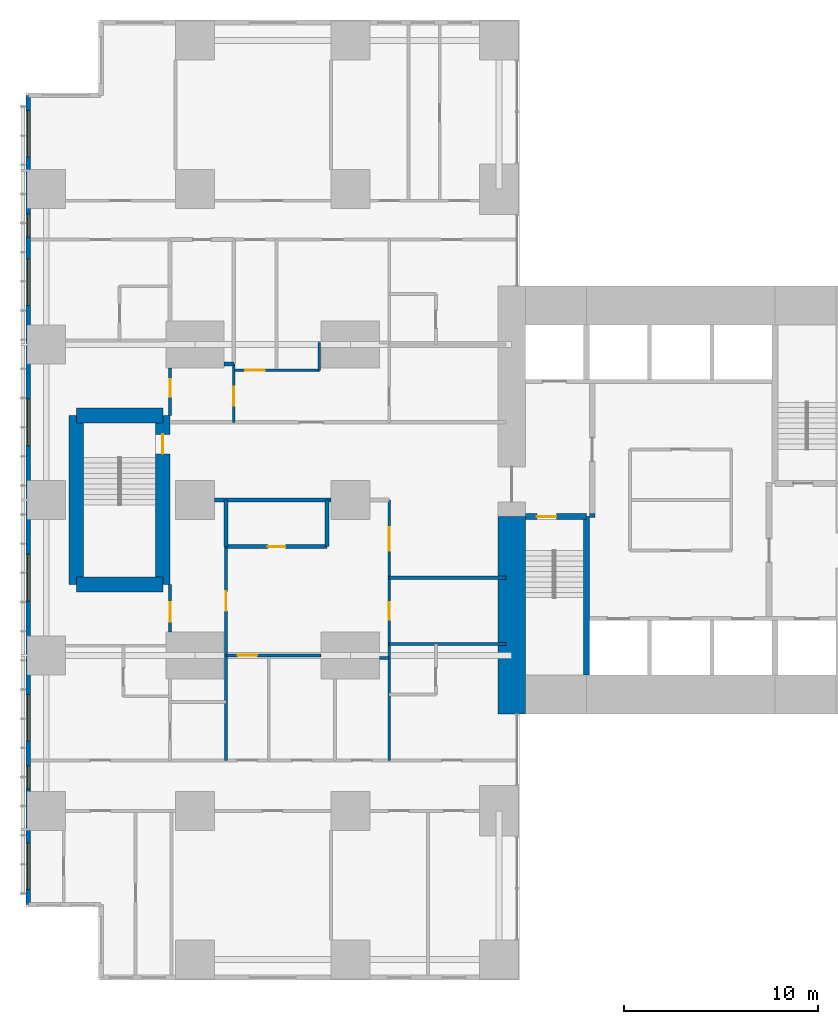
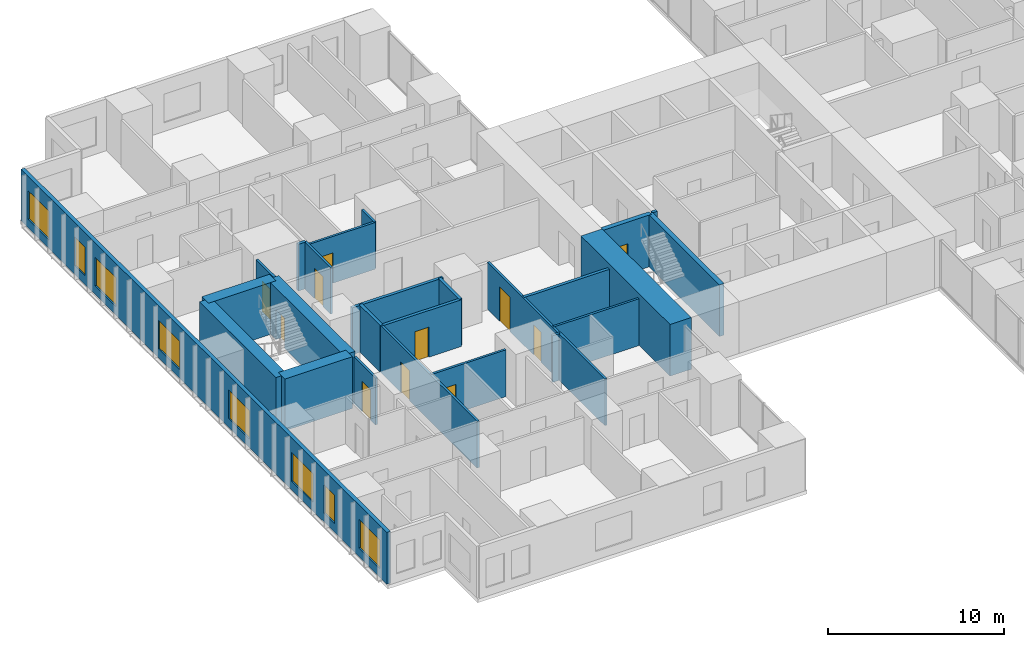
# One storey, part 13 of 20: 25 walls, 11 doors, 8 windows, 19 openings.
"""IFC4 building model written with IfcOpenShell, lengths in metres."""

from ifc_helpers import new_model, si_unit, direction, frame, frame_2d, origin, place, context, subcontext, project, spatial, rectangle, extrude, material, layer, layer_set, type_object, element, fill, save


model = new_model("IFC4")

# Units and contexts
model_context = context("Model", 3, precision=1e-05, world=origin(), true_north=direction((0.0, 1.0)))
body_context = subcontext(model_context, "Body", "Model", "MODEL_VIEW")
ifc_project = project(units=[si_unit("LENGTHUNIT", "METRE"), si_unit("AREAUNIT", "SQUARE_METRE"), si_unit("VOLUMEUNIT", "CUBIC_METRE"), si_unit("PLANEANGLEUNIT", "RADIAN"), si_unit("MASSUNIT", "GRAM", prefix="KILO")], contexts=[model_context])

# Site, building, storey
site_placement = place(None, origin())
site = spatial("IfcSite", under=ifc_project, at=site_placement, CompositionType="ELEMENT")
building_placement = place(site_placement, origin())
building = spatial("IfcBuilding", under=site, at=building_placement, Name="Cleftline Residences", CompositionType="ELEMENT")
storey_placement = place(building_placement, frame((0.0, 0.0, 87.199951171875)))
storey = spatial("IfcBuildingStorey", under=building, at=storey_placement, Name="L22", CompositionType="ELEMENT", Elevation=87.199951171875)

# Walls
ifc_material_1 = material(Name="Concrete B70", Category="concrete")
ifc_layer_1 = layer(ifc_material_1, 1.39990234375)
ifc_layer_set_1 = layer_set([ifc_layer_1], Name="CORE WALL 1400")
wall_type_1 = type_object("IfcWallType", Name="CORE WALL 1400", PredefinedType="SHEAR", material=ifc_layer_set_1)
wall_1_placement = place(storey_placement, frame((24.300048828125, 13.0, 0.0), z_axis=(0.0, 0.0, 1.0), x_axis=(0.0, 1.0, 0.0)))
element("IfcWall", 1, at=wall_1_placement, inside=storey, type_object=wall_type_1, Name="Core wall W0", PredefinedType="SHEAR", context=body_context, shape_type="SweptSolid", body=[
    extrude(rectangle(XDim=10.14990234375, YDim=1.39990234375, at=frame_2d((5.074951171875, 0.0))), origin(), (0.0, 0.0, 1.0), 3.60009765625),
])
ifc_material_2 = material(Name="Concrete B70", Category="concrete")
ifc_layer_2 = layer(ifc_material_2, 0.300048828125)
ifc_layer_set_2 = layer_set([ifc_layer_2], Name="CORE WALL 300")
wall_type_2 = type_object("IfcWallType", Name="CORE WALL 300", PredefinedType="SHEAR", material=ifc_layer_set_2)
wall_2_placement = place(storey_placement, frame((28.14990234375, 15.0, 0.0), z_axis=(0.0, 0.0, 1.0), x_axis=(0.0, 1.0, 0.0)))
element("IfcWall", 2, at=wall_2_placement, inside=storey, type_object=wall_type_2, Name="Core wall SA-E", PredefinedType="SHEAR", context=body_context, shape_type="SweptSolid", body=[
    extrude(rectangle(XDim=8.14990234375, YDim=0.300048828125, at=frame_2d((4.074951171875, 0.0))), origin(), (0.0, 0.0, 1.0), 3.60009765625),
])

# Wall, opening, door
wall_3_placement = place(storey_placement, frame((25.0, 23.14990234375, 0.0), z_axis=(0.0, 0.0, 1.0), x_axis=(1.0, 0.0, 0.0)))
wall_3 = element("IfcWall", 3, at=wall_3_placement, inside=storey, type_object=wall_type_2, Name="Core wall SA-N", PredefinedType="SHEAR", context=body_context, shape_type="SweptSolid", body=[
    extrude(rectangle(XDim=3.14990234375, YDim=0.300048828125, at=frame_2d((1.574951171875, 0.0))), origin(), (0.0, 0.0, 1.0), 3.60009765625),
])
opening_1_placement = place(wall_3_placement, frame((0.60009765625, 0.0, 0.0)))
opening_1 = element("IfcOpeningElement", 4, at=opening_1_placement, cuts=wall_3, Name="Opening D5", PredefinedType="OPENING", context=body_context, shape_type="SweptSolid", body=[
    extrude(rectangle(XDim=1.0, YDim=2.10009765625, at=frame_2d((0.5, 1.050048828125))), frame((0.0, 0.159912109375, 0.0), z_axis=(0.0, -1.0, 0.0), x_axis=(1.0, 0.0, 0.0)), (0.0, 0.0, 1.0), 0.320068359375),
])
ifc_material_3 = material(Name="Steel", Category="steel")
door_type_1 = type_object("IfcDoorType", Name="STAIR DOOR 1000X2100", OperationType="SINGLE_SWING_LEFT", PredefinedType="DOOR", material=ifc_material_3)
door_1_placement = place(opening_1_placement, origin())
door_1 = element("IfcDoor", 5, at=door_1_placement, inside=storey, type_object=door_type_1, Name="Stair A door", OperationType="SINGLE_SWING_RIGHT", OverallHeight=2.10009765625, OverallWidth=1.0, PredefinedType="DOOR", context=body_context, shape_type="SweptSolid", body=[
    extrude(rectangle(XDim=1.0, YDim=2.10009765625, at=frame_2d((0.5, 1.050048828125))), frame((0.0, 0.02490234375, 0.0), z_axis=(0.0, -1.0, 0.0), x_axis=(1.0, 0.0, 0.0)), (0.0, 0.0, 1.0), 0.050048828125),
])
fill(opening_1, door_1)

# Wall, openings, windows
ifc_material_4 = material(Name="Rendered reinforced concrete blockwork", Category="masonry")
ifc_layer_3 = layer(ifc_material_4, 0.25)
ifc_layer_set_3 = layer_set([ifc_layer_3], Name="EXTERNAL WALL 250")
wall_type_3 = type_object("IfcWallType", Name="EXTERNAL WALL 250", PredefinedType="SOLIDWALL", material=ifc_layer_set_3)
wall_4_placement = place(storey_placement, frame((-0.574951171875, 44.824951171875, 0.0), z_axis=(0.0, 0.0, 1.0), x_axis=(0.0, -1.0, 0.0)))
wall_4 = element("IfcWall", 6, at=wall_4_placement, inside=storey, type_object=wall_type_3, Name="External wall", PredefinedType="SOLIDWALL", context=body_context, shape_type="SweptSolid", body=[
    extrude(rectangle(XDim=41.64990234375, YDim=0.25, at=frame_2d((20.824951171875, 0.0))), origin(), (0.0, 0.0, 1.0), 3.60009765625),
])
opening_2_placement = place(wall_4_placement, frame((0.77490234375, 0.0, 0.60009765625)))
opening_2 = element("IfcOpeningElement", 7, at=opening_2_placement, cuts=wall_4, Name="Opening W6", PredefinedType="OPENING", context=body_context, shape_type="SweptSolid", body=[
    extrude(rectangle(XDim=2.39990234375, YDim=2.0, at=frame_2d((1.199951171875, 1.0))), frame((0.0, 0.135009765625, 0.0), z_axis=(0.0, -1.0, 0.0), x_axis=(1.0, 0.0, 0.0)), (0.0, 0.0, 1.0), 0.27001953125),
])
opening_3_placement = place(wall_4_placement, frame((6.10009765625, 0.0, 0.60009765625)))
opening_3 = element("IfcOpeningElement", 8, at=opening_3_placement, cuts=wall_4, Name="Opening W8", PredefinedType="OPENING", context=body_context, shape_type="SweptSolid", body=[
    extrude(rectangle(XDim=1.199951171875, YDim=2.0, at=frame_2d((0.60009765625, 1.0))), frame((0.0, 0.135009765625, 0.0), z_axis=(0.0, -1.0, 0.0), x_axis=(1.0, 0.0, 0.0)), (0.0, 0.0, 1.0), 0.27001953125),
])
opening_4_placement = place(wall_4_placement, frame((8.425048828125, 0.0, 0.60009765625)))
opening_4 = element("IfcOpeningElement", 9, at=opening_4_placement, cuts=wall_4, Name="Opening W6", PredefinedType="OPENING", context=body_context, shape_type="SweptSolid", body=[
    extrude(rectangle(XDim=2.39990234375, YDim=2.0, at=frame_2d((1.199951171875, 1.0))), frame((0.0, 0.135009765625, 0.0), z_axis=(0.0, -1.0, 0.0), x_axis=(1.0, 0.0, 0.0)), (0.0, 0.0, 1.0), 0.27001953125),
])
opening_5_placement = place(wall_4_placement, frame((15.625, 0.0, 0.60009765625)))
opening_5 = element("IfcOpeningElement", 10, at=opening_5_placement, cuts=wall_4, Name="Opening W6", PredefinedType="OPENING", context=body_context, shape_type="SweptSolid", body=[
    extrude(rectangle(XDim=2.39990234375, YDim=2.0, at=frame_2d((1.199951171875, 1.0))), frame((0.0, 0.135009765625, 0.0), z_axis=(0.0, -1.0, 0.0), x_axis=(1.0, 0.0, 0.0)), (0.0, 0.0, 1.0), 0.27001953125),
])
opening_6_placement = place(wall_4_placement, frame((23.625, 0.0, 0.60009765625)))
opening_6 = element("IfcOpeningElement", 11, at=opening_6_placement, cuts=wall_4, Name="Opening W6", PredefinedType="OPENING", context=body_context, shape_type="SweptSolid", body=[
    extrude(rectangle(XDim=2.39990234375, YDim=2.0, at=frame_2d((1.199951171875, 1.0))), frame((0.0, 0.135009765625, 0.0), z_axis=(0.0, -1.0, 0.0), x_axis=(1.0, 0.0, 0.0)), (0.0, 0.0, 1.0), 0.27001953125),
])
opening_7_placement = place(wall_4_placement, frame((30.824951171875, 0.0, 0.60009765625)))
opening_7 = element("IfcOpeningElement", 12, at=opening_7_placement, cuts=wall_4, Name="Opening W6", PredefinedType="OPENING", context=body_context, shape_type="SweptSolid", body=[
    extrude(rectangle(XDim=2.39990234375, YDim=2.0, at=frame_2d((1.199951171875, 1.0))), frame((0.0, 0.135009765625, 0.0), z_axis=(0.0, -1.0, 0.0), x_axis=(1.0, 0.0, 0.0)), (0.0, 0.0, 1.0), 0.27001953125),
])
opening_8_placement = place(wall_4_placement, frame((34.5, 0.0, 0.60009765625)))
opening_8 = element("IfcOpeningElement", 13, at=opening_8_placement, cuts=wall_4, Name="Opening W8", PredefinedType="OPENING", context=body_context, shape_type="SweptSolid", body=[
    extrude(rectangle(XDim=1.199951171875, YDim=2.0, at=frame_2d((0.60009765625, 1.0))), frame((0.0, 0.135009765625, 0.0), z_axis=(0.0, -1.0, 0.0), x_axis=(1.0, 0.0, 0.0)), (0.0, 0.0, 1.0), 0.27001953125),
])
opening_9_placement = place(wall_4_placement, frame((38.47509765625, 0.0, 0.60009765625)))
opening_9 = element("IfcOpeningElement", 14, at=opening_9_placement, cuts=wall_4, Name="Opening W6", PredefinedType="OPENING", context=body_context, shape_type="SweptSolid", body=[
    extrude(rectangle(XDim=2.39990234375, YDim=2.0, at=frame_2d((1.199951171875, 1.0))), frame((0.0, 0.135009765625, 0.0), z_axis=(0.0, -1.0, 0.0), x_axis=(1.0, 0.0, 0.0)), (0.0, 0.0, 1.0), 0.27001953125),
])
ifc_material_5 = material(Name="Aluminium frame, clear double glazing", Category="aluminium")
window_type_1 = type_object("IfcWindowType", Name="WINDOW 1200X2000", PartitioningType="DOUBLE_PANEL_VERTICAL", PredefinedType="WINDOW", material=ifc_material_5)
window_1_placement = place(opening_3_placement, origin())
window_1 = element("IfcWindow", 15, at=window_1_placement, inside=storey, type_object=window_type_1, Name="Window", OverallHeight=2.0, OverallWidth=1.199951171875, PartitioningType="SINGLE_PANEL", PredefinedType="WINDOW", context=body_context, shape_type="SweptSolid", body=[
    extrude(rectangle(XDim=1.199951171875, YDim=2.0, at=frame_2d((0.60009765625, 1.0))), frame((0.0, 0.030029296875, 0.0), z_axis=(0.0, -1.0, 0.0), x_axis=(1.0, 0.0, 0.0)), (0.0, 0.0, 1.0), 0.06005859375),
])
fill(opening_3, window_1)
window_2_placement = place(opening_8_placement, origin())
window_2 = element("IfcWindow", 16, at=window_2_placement, inside=storey, type_object=window_type_1, Name="Window", OverallHeight=2.0, OverallWidth=1.199951171875, PartitioningType="SINGLE_PANEL", PredefinedType="WINDOW", context=body_context, shape_type="SweptSolid", body=[
    extrude(rectangle(XDim=1.199951171875, YDim=2.0, at=frame_2d((0.60009765625, 1.0))), frame((0.0, 0.030029296875, 0.0), z_axis=(0.0, -1.0, 0.0), x_axis=(1.0, 0.0, 0.0)), (0.0, 0.0, 1.0), 0.06005859375),
])
fill(opening_8, window_2)
ifc_material_6 = material(Name="Aluminium frame, clear double glazing", Category="aluminium")
window_type_2 = type_object("IfcWindowType", Name="WINDOW 2400X2000", PartitioningType="DOUBLE_PANEL_VERTICAL", PredefinedType="WINDOW", material=ifc_material_6)
window_3_placement = place(opening_2_placement, origin())
window_3 = element("IfcWindow", 17, at=window_3_placement, inside=storey, type_object=window_type_2, Name="Window", OverallHeight=2.0, OverallWidth=2.39990234375, PartitioningType="SINGLE_PANEL", PredefinedType="WINDOW", context=body_context, shape_type="SweptSolid", body=[
    extrude(rectangle(XDim=2.39990234375, YDim=2.0, at=frame_2d((1.199951171875, 1.0))), frame((0.0, 0.030029296875, 0.0), z_axis=(0.0, -1.0, 0.0), x_axis=(1.0, 0.0, 0.0)), (0.0, 0.0, 1.0), 0.06005859375),
])
fill(opening_2, window_3)
window_4_placement = place(opening_4_placement, origin())
window_4 = element("IfcWindow", 18, at=window_4_placement, inside=storey, type_object=window_type_2, Name="Window", OverallHeight=2.0, OverallWidth=2.39990234375, PartitioningType="SINGLE_PANEL", PredefinedType="WINDOW", context=body_context, shape_type="SweptSolid", body=[
    extrude(rectangle(XDim=2.39990234375, YDim=2.0, at=frame_2d((1.199951171875, 1.0))), frame((0.0, 0.030029296875, 0.0), z_axis=(0.0, -1.0, 0.0), x_axis=(1.0, 0.0, 0.0)), (0.0, 0.0, 1.0), 0.06005859375),
])
fill(opening_4, window_4)
window_5_placement = place(opening_5_placement, origin())
window_5 = element("IfcWindow", 19, at=window_5_placement, inside=storey, type_object=window_type_2, Name="Window", OverallHeight=2.0, OverallWidth=2.39990234375, PartitioningType="SINGLE_PANEL", PredefinedType="WINDOW", context=body_context, shape_type="SweptSolid", body=[
    extrude(rectangle(XDim=2.39990234375, YDim=2.0, at=frame_2d((1.199951171875, 1.0))), frame((0.0, 0.030029296875, 0.0), z_axis=(0.0, -1.0, 0.0), x_axis=(1.0, 0.0, 0.0)), (0.0, 0.0, 1.0), 0.06005859375),
])
fill(opening_5, window_5)
window_6_placement = place(opening_6_placement, origin())
window_6 = element("IfcWindow", 20, at=window_6_placement, inside=storey, type_object=window_type_2, Name="Window", OverallHeight=2.0, OverallWidth=2.39990234375, PartitioningType="SINGLE_PANEL", PredefinedType="WINDOW", context=body_context, shape_type="SweptSolid", body=[
    extrude(rectangle(XDim=2.39990234375, YDim=2.0, at=frame_2d((1.199951171875, 1.0))), frame((0.0, 0.030029296875, 0.0), z_axis=(0.0, -1.0, 0.0), x_axis=(1.0, 0.0, 0.0)), (0.0, 0.0, 1.0), 0.06005859375),
])
fill(opening_6, window_6)
window_7_placement = place(opening_7_placement, origin())
window_7 = element("IfcWindow", 21, at=window_7_placement, inside=storey, type_object=window_type_2, Name="Window", OverallHeight=2.0, OverallWidth=2.39990234375, PartitioningType="SINGLE_PANEL", PredefinedType="WINDOW", context=body_context, shape_type="SweptSolid", body=[
    extrude(rectangle(XDim=2.39990234375, YDim=2.0, at=frame_2d((1.199951171875, 1.0))), frame((0.0, 0.030029296875, 0.0), z_axis=(0.0, -1.0, 0.0), x_axis=(1.0, 0.0, 0.0)), (0.0, 0.0, 1.0), 0.06005859375),
])
fill(opening_7, window_7)
window_8_placement = place(opening_9_placement, origin())
window_8 = element("IfcWindow", 22, at=window_8_placement, inside=storey, type_object=window_type_2, Name="Window", OverallHeight=2.0, OverallWidth=2.39990234375, PartitioningType="SINGLE_PANEL", PredefinedType="WINDOW", context=body_context, shape_type="SweptSolid", body=[
    extrude(rectangle(XDim=2.39990234375, YDim=2.0, at=frame_2d((1.199951171875, 1.0))), frame((0.0, 0.030029296875, 0.0), z_axis=(0.0, -1.0, 0.0), x_axis=(1.0, 0.0, 0.0)), (0.0, 0.0, 1.0), 0.06005859375),
])
fill(opening_9, window_8)

# Wall
ifc_material_7 = material(Name="Concrete blockwork, fire rated", Category="masonry")
ifc_layer_4 = layer(ifc_material_7, 0.199951171875)
ifc_layer_set_4 = layer_set([ifc_layer_4], Name="FIRE WALL 200")
wall_type_4 = type_object("IfcWallType", Name="FIRE WALL 200", PredefinedType="PARTITIONING", material=ifc_layer_set_4)
wall_5_placement = place(storey_placement, frame((18.0, 20.0, 0.0), z_axis=(0.0, 0.0, 1.0), x_axis=(1.0, 0.0, 0.0)))
element("IfcWall", 23, at=wall_5_placement, inside=storey, type_object=wall_type_4, Name="Fire separating wall", PredefinedType="PARTITIONING", context=body_context, shape_type="SweptSolid", body=[
    extrude(rectangle(XDim=6.0, YDim=0.199951171875, at=frame_2d((3.0, 0.0))), origin(), (0.0, 0.0, 1.0), 3.25),
])

# Wall, opening, door
wall_6_placement = place(storey_placement, frame((9.60009765625, 21.60009765625, 0.0), z_axis=(0.0, 0.0, 1.0), x_axis=(1.0, 0.0, 0.0)))
wall_6 = element("IfcWall", 24, at=wall_6_placement, inside=storey, type_object=wall_type_4, Name="Fire separating wall", PredefinedType="PARTITIONING", context=body_context, shape_type="SweptSolid", body=[
    extrude(rectangle(XDim=5.199951171875, YDim=0.199951171875, at=frame_2d((2.60009765625, 0.0))), origin(), (0.0, 0.0, 1.0), 3.25),
])
opening_10_placement = place(wall_6_placement, frame((2.14990234375, 0.0, 0.0)))
opening_10 = element("IfcOpeningElement", 25, at=opening_10_placement, cuts=wall_6, Name="Opening D1F30", PredefinedType="OPENING", context=body_context, shape_type="SweptSolid", body=[
    extrude(rectangle(XDim=0.89990234375, YDim=2.10009765625, at=frame_2d((0.449951171875, 1.050048828125))), frame((0.0, 0.10986328125, 0.0), z_axis=(0.0, -1.0, 0.0), x_axis=(1.0, 0.0, 0.0)), (0.0, 0.0, 1.0), 0.219970703125),
])
ifc_material_8 = material(Name="Timber veneer on solid core", Category="wood")
door_type_2 = type_object("IfcDoorType", Name="DOOR 900X2100 EI 30", OperationType="SINGLE_SWING_LEFT", PredefinedType="DOOR", material=ifc_material_8)
door_2_placement = place(opening_10_placement, origin())
door_2 = element("IfcDoor", 26, at=door_2_placement, inside=storey, type_object=door_type_2, Name="Door to cloakroom wc", OperationType="SINGLE_SWING_LEFT", OverallHeight=2.10009765625, OverallWidth=0.89990234375, PredefinedType="DOOR", context=body_context, shape_type="SweptSolid", body=[
    extrude(rectangle(XDim=0.89990234375, YDim=2.10009765625, at=frame_2d((0.449951171875, 1.050048828125))), frame((0.0, 0.02490234375, 0.0), z_axis=(0.0, -1.0, 0.0), x_axis=(1.0, 0.0, 0.0)), (0.0, 0.0, 1.0), 0.050048828125),
])
fill(opening_10, door_2)

# Walls
wall_7_placement = place(storey_placement, frame((9.0, 24.0, 0.0), z_axis=(0.0, 0.0, 1.0), x_axis=(1.0, 0.0, 0.0)))
element("IfcWall", 27, at=wall_7_placement, inside=storey, type_object=wall_type_4, Name="Fire separating wall", PredefinedType="PARTITIONING", context=body_context, shape_type="SweptSolid", body=[
    extrude(rectangle(XDim=6.0, YDim=0.199951171875, at=frame_2d((3.0, 0.0))), origin(), (0.0, 0.0, 1.0), 3.25),
])
wall_8_placement = place(storey_placement, frame((9.5, 31.0, 0.0), z_axis=(0.0, 0.0, 1.0), x_axis=(1.0, 0.0, 0.0)))
element("IfcWall", 28, at=wall_8_placement, inside=storey, type_object=wall_type_4, Name="Fire separating wall", PredefinedType="PARTITIONING", context=body_context, shape_type="SweptSolid", body=[
    extrude(rectangle(XDim=0.5, YDim=0.199951171875, at=frame_2d((0.25, 0.0))), origin(), (0.0, 0.0, 1.0), 3.25),
])
for number, where, z_axis, x_axis, name in (
    (29, (9.60009765625, 21.60009765625, 0.0), (0.0, 0.0, 1.0), (0.0, 1.0, 0.0), "Fire separating wall"),
    (30, (14.800048828125, 21.60009765625, 0.0), (0.0, 0.0, 1.0), (0.0, 1.0, 0.0), "Fire separating wall"),
):
    element("IfcWall", number, at=place(storey_placement, frame(where, z_axis=z_axis, x_axis=x_axis)), inside=storey, type_object=wall_type_4, Name=name, PredefinedType="PARTITIONING", context=body_context, shape_type="SweptSolid", body=[
        extrude(rectangle(XDim=2.39990234375, YDim=0.199951171875, at=frame_2d((1.199951171875, 0.0))), origin(), (0.0, 0.0, 1.0), 3.25),
    ])
wall_9_placement = place(storey_placement, frame((28.300048828125, 23.199951171875, 0.0), z_axis=(0.0, 0.0, 1.0), x_axis=(1.0, 0.0, 0.0)))
element("IfcWall", 31, at=wall_9_placement, inside=storey, type_object=wall_type_4, Name="Fire separating wall", PredefinedType="PARTITIONING", context=body_context, shape_type="SweptSolid", body=[
    extrude(rectangle(XDim=0.300048828125, YDim=0.199951171875, at=frame_2d((0.14990234375, 0.0))), origin(), (0.0, 0.0, 1.0), 3.60009765625),
])
ifc_material_9 = material(Name="Gypsum board on steel studs", Category="steel")
ifc_layer_5 = layer(ifc_material_9, 0.14990234375)
ifc_layer_set_5 = layer_set([ifc_layer_5], Name="PARTITION 150")
wall_type_5 = type_object("IfcWallType", Name="PARTITION 150", PredefinedType="PARTITIONING", material=ifc_layer_set_5)
wall_10_placement = place(storey_placement, frame((17.5, 15.875, 0.0), z_axis=(0.0, 0.0, 1.0), x_axis=(1.0, 0.0, 0.0)))
element("IfcWall", 32, at=wall_10_placement, inside=storey, type_object=wall_type_5, Name="Partition", PredefinedType="PARTITIONING", context=body_context, shape_type="SweptSolid", body=[
    extrude(rectangle(XDim=0.5, YDim=0.14990234375, at=frame_2d((0.25, 0.0))), origin(), (0.0, 0.0, 1.0), 3.25),
])

# Wall, opening, door
wall_11_placement = place(storey_placement, frame((9.60009765625, 16.0, 0.0), z_axis=(0.0, 0.0, 1.0), x_axis=(1.0, 0.0, 0.0)))
wall_11 = element("IfcWall", 33, at=wall_11_placement, inside=storey, type_object=wall_type_5, Name="Partition", PredefinedType="PARTITIONING", context=body_context, shape_type="SweptSolid", body=[
    extrude(rectangle(XDim=4.89990234375, YDim=0.14990234375, at=frame_2d((2.449951171875, 0.0))), origin(), (0.0, 0.0, 1.0), 3.25),
])
opening_11_placement = place(wall_11_placement, frame((0.60009765625, 0.0, 0.0)))
opening_11 = element("IfcOpeningElement", 34, at=opening_11_placement, cuts=wall_11, Name="Opening D2L", PredefinedType="OPENING", context=body_context, shape_type="SweptSolid", body=[
    extrude(rectangle(XDim=1.0, YDim=2.0, at=frame_2d((0.5, 1.0))), frame((0.0, 0.0849609375, 0.0), z_axis=(0.0, -1.0, 0.0), x_axis=(1.0, 0.0, 0.0)), (0.0, 0.0, 1.0), 0.169921875),
])
ifc_material_10 = material(Name="Timber veneer on solid core", Category="wood")
door_type_3 = type_object("IfcDoorType", Name="DOOR 1000X2000", OperationType="SINGLE_SWING_LEFT", PredefinedType="DOOR", material=ifc_material_10)
door_3_placement = place(opening_11_placement, origin())
door_3 = element("IfcDoor", 35, at=door_3_placement, inside=storey, type_object=door_type_3, Name="Door to residence passage", OperationType="SINGLE_SWING_RIGHT", OverallHeight=2.0, OverallWidth=1.0, PredefinedType="DOOR", context=body_context, shape_type="SweptSolid", body=[
    extrude(rectangle(XDim=1.0, YDim=2.0, at=frame_2d((0.5, 1.0))), frame((0.0, 0.02490234375, 0.0), z_axis=(0.0, -1.0, 0.0), x_axis=(1.0, 0.0, 0.0)), (0.0, 0.0, 1.0), 0.050048828125),
])
fill(opening_11, door_3)

# Wall
wall_12_placement = place(storey_placement, frame((18.0, 16.60009765625, 0.0), z_axis=(0.0, 0.0, 1.0), x_axis=(1.0, 0.0, 0.0)))
element("IfcWall", 36, at=wall_12_placement, inside=storey, type_object=wall_type_5, Name="Partition", PredefinedType="PARTITIONING", context=body_context, shape_type="SweptSolid", body=[
    extrude(rectangle(XDim=6.0, YDim=0.14990234375, at=frame_2d((3.0, 0.0))), origin(), (0.0, 0.0, 1.0), 3.25),
])

# Wall, opening, door
wall_13_placement = place(storey_placement, frame((10.0, 30.675048828125, 0.0), z_axis=(0.0, 0.0, 1.0), x_axis=(1.0, 0.0, 0.0)))
wall_13 = element("IfcWall", 37, at=wall_13_placement, inside=storey, type_object=wall_type_5, Name="Partition", PredefinedType="PARTITIONING", context=body_context, shape_type="SweptSolid", body=[
    extrude(rectangle(XDim=4.39990234375, YDim=0.14990234375, at=frame_2d((2.199951171875, 0.0))), origin(), (0.0, 0.0, 1.0), 3.25),
])
opening_12_placement = place(wall_13_placement, frame((0.60009765625, 0.0, 0.0)))
opening_12 = element("IfcOpeningElement", 38, at=opening_12_placement, cuts=wall_13, Name="Opening D2", PredefinedType="OPENING", context=body_context, shape_type="SweptSolid", body=[
    extrude(rectangle(XDim=1.0, YDim=2.10009765625, at=frame_2d((0.5, 1.050048828125))), frame((0.0, 0.0849609375, 0.0), z_axis=(0.0, -1.0, 0.0), x_axis=(1.0, 0.0, 0.0)), (0.0, 0.0, 1.0), 0.169921875),
])
ifc_material_11 = material(Name="Timber veneer on solid core", Category="wood")
door_type_4 = type_object("IfcDoorType", Name="DOOR 1000X2100", OperationType="SINGLE_SWING_LEFT", PredefinedType="DOOR", material=ifc_material_11)
door_4_placement = place(opening_12_placement, origin())
door_4 = element("IfcDoor", 39, at=door_4_placement, inside=storey, type_object=door_type_4, Name="Door to residence passage", OperationType="SINGLE_SWING_RIGHT", OverallHeight=2.10009765625, OverallWidth=1.0, PredefinedType="DOOR", context=body_context, shape_type="SweptSolid", body=[
    extrude(rectangle(XDim=1.0, YDim=2.10009765625, at=frame_2d((0.5, 1.050048828125))), frame((0.0, 0.02490234375, 0.0), z_axis=(0.0, -1.0, 0.0), x_axis=(1.0, 0.0, 0.0)), (0.0, 0.0, 1.0), 0.050048828125),
])
fill(opening_12, door_4)

wall_14_placement = place(storey_placement, frame((6.72509765625, 17.199951171875, 0.0), z_axis=(0.0, 0.0, 1.0), x_axis=(0.0, 1.0, 0.0)))
wall_14 = element("IfcWall", 40, at=wall_14_placement, inside=storey, type_object=wall_type_5, Name="Partition", PredefinedType="PARTITIONING", context=body_context, shape_type="SweptSolid", body=[
    extrude(rectangle(XDim=2.449951171875, YDim=0.14990234375, at=frame_2d((1.22509765625, 0.0))), origin(), (0.0, 0.0, 1.0), 3.25),
])
opening_13_placement = place(wall_14_placement, frame((0.53759765625, 0.0, 0.0)))
opening_13 = element("IfcOpeningElement", 41, at=opening_13_placement, cuts=wall_14, Name="Opening D2", PredefinedType="OPENING", context=body_context, shape_type="SweptSolid", body=[
    extrude(rectangle(XDim=1.0, YDim=2.10009765625, at=frame_2d((0.5, 1.050048828125))), frame((0.0, 0.0849609375, 0.0), z_axis=(0.0, -1.0, 0.0), x_axis=(1.0, 0.0, 0.0)), (0.0, 0.0, 1.0), 0.169921875),
])
door_5_placement = place(opening_13_placement, origin())
door_5 = element("IfcDoor", 42, at=door_5_placement, inside=storey, type_object=door_type_4, Name="Door to altar room", OperationType="SINGLE_SWING_RIGHT", OverallHeight=2.10009765625, OverallWidth=1.0, PredefinedType="DOOR", context=body_context, shape_type="SweptSolid", body=[
    extrude(rectangle(XDim=1.0, YDim=2.10009765625, at=frame_2d((0.5, 1.050048828125))), frame((0.0, 0.02490234375, 0.0), z_axis=(0.0, -1.0, 0.0), x_axis=(1.0, 0.0, 0.0)), (0.0, 0.0, 1.0), 0.050048828125),
])
fill(opening_13, door_5)

wall_15_placement = place(storey_placement, frame((6.72509765625, 28.35009765625, 0.0), z_axis=(0.0, 0.0, 1.0), x_axis=(0.0, 1.0, 0.0)))
wall_15 = element("IfcWall", 43, at=wall_15_placement, inside=storey, type_object=wall_type_5, Name="Partition", PredefinedType="PARTITIONING", context=body_context, shape_type="SweptSolid", body=[
    extrude(rectangle(XDim=2.449951171875, YDim=0.14990234375, at=frame_2d((1.22509765625, 0.0))), origin(), (0.0, 0.0, 1.0), 3.25),
])
opening_14_placement = place(wall_15_placement, frame((0.96240234375, 0.0, 0.0)))
opening_14 = element("IfcOpeningElement", 44, at=opening_14_placement, cuts=wall_15, Name="Opening D1", PredefinedType="OPENING", context=body_context, shape_type="SweptSolid", body=[
    extrude(rectangle(XDim=0.89990234375, YDim=2.10009765625, at=frame_2d((0.449951171875, 1.050048828125))), frame((0.0, 0.0849609375, 0.0), z_axis=(0.0, -1.0, 0.0), x_axis=(1.0, 0.0, 0.0)), (0.0, 0.0, 1.0), 0.169921875),
])
ifc_material_12 = material(Name="Timber veneer on solid core", Category="wood")
door_type_5 = type_object("IfcDoorType", Name="DOOR 900X2100", OperationType="SINGLE_SWING_LEFT", PredefinedType="DOOR", material=ifc_material_12)
door_6_placement = place(opening_14_placement, origin())
door_6 = element("IfcDoor", 45, at=door_6_placement, inside=storey, type_object=door_type_5, Name="Door to drying loggia", OperationType="SINGLE_SWING_LEFT", OverallHeight=2.10009765625, OverallWidth=0.89990234375, PredefinedType="DOOR", context=body_context, shape_type="SweptSolid", body=[
    extrude(rectangle(XDim=0.89990234375, YDim=2.10009765625, at=frame_2d((0.449951171875, 1.050048828125))), frame((0.0, 0.02490234375, 0.0), z_axis=(0.0, -1.0, 0.0), x_axis=(1.0, 0.0, 0.0)), (0.0, 0.0, 1.0), 0.050048828125),
])
fill(opening_14, door_6)

wall_16_placement = place(storey_placement, frame((9.60009765625, 10.60009765625, 0.0), z_axis=(0.0, 0.0, 1.0), x_axis=(0.0, 1.0, 0.0)))
wall_16 = element("IfcWall", 46, at=wall_16_placement, inside=storey, type_object=wall_type_5, Name="Partition", PredefinedType="PARTITIONING", context=body_context, shape_type="SweptSolid", body=[
    extrude(rectangle(XDim=11.0, YDim=0.14990234375, at=frame_2d((5.5, 0.0))), origin(), (0.0, 0.0, 1.0), 3.25),
])
opening_15_placement = place(wall_16_placement, frame((7.699951171875, 0.0, 0.0)))
opening_15 = element("IfcOpeningElement", 47, at=opening_15_placement, cuts=wall_16, Name="Opening D2F30", PredefinedType="OPENING", context=body_context, shape_type="SweptSolid", body=[
    extrude(rectangle(XDim=1.0, YDim=2.10009765625, at=frame_2d((0.5, 1.050048828125))), frame((0.0, 0.0849609375, 0.0), z_axis=(0.0, -1.0, 0.0), x_axis=(1.0, 0.0, 0.0)), (0.0, 0.0, 1.0), 0.169921875),
])
ifc_material_13 = material(Name="Timber veneer on solid core", Category="wood")
door_type_6 = type_object("IfcDoorType", Name="DOOR 1000X2100 EI 30", OperationType="SINGLE_SWING_LEFT", PredefinedType="DOOR", material=ifc_material_13)
door_7_placement = place(opening_15_placement, origin())
door_7 = element("IfcDoor", 48, at=door_7_placement, inside=storey, type_object=door_type_6, Name="Door to residence lobby", OperationType="SINGLE_SWING_LEFT", OverallHeight=2.10009765625, OverallWidth=1.0, PredefinedType="DOOR", context=body_context, shape_type="SweptSolid", body=[
    extrude(rectangle(XDim=1.0, YDim=2.10009765625, at=frame_2d((0.5, 1.050048828125))), frame((0.0, 0.02490234375, 0.0), z_axis=(0.0, -1.0, 0.0), x_axis=(1.0, 0.0, 0.0)), (0.0, 0.0, 1.0), 0.050048828125),
])
fill(opening_15, door_7)

wall_17_placement = place(storey_placement, frame((10.0, 28.0, 0.0), z_axis=(0.0, 0.0, 1.0), x_axis=(0.0, 1.0, 0.0)))
wall_17 = element("IfcWall", 49, at=wall_17_placement, inside=storey, type_object=wall_type_5, Name="Partition", PredefinedType="PARTITIONING", context=body_context, shape_type="SweptSolid", body=[
    extrude(rectangle(XDim=3.0, YDim=0.14990234375, at=frame_2d((1.5, 0.0))), origin(), (0.0, 0.0, 1.0), 3.25),
])
opening_16_placement = place(wall_17_placement, frame((0.83740234375, 0.0, 0.0)))
opening_16 = element("IfcOpeningElement", 50, at=opening_16_placement, cuts=wall_17, Name="Opening D2F30", PredefinedType="OPENING", context=body_context, shape_type="SweptSolid", body=[
    extrude(rectangle(XDim=1.0, YDim=2.10009765625, at=frame_2d((0.5, 1.050048828125))), frame((0.0, 0.0849609375, 0.0), z_axis=(0.0, -1.0, 0.0), x_axis=(1.0, 0.0, 0.0)), (0.0, 0.0, 1.0), 0.169921875),
])
door_8_placement = place(opening_16_placement, origin())
door_8 = element("IfcDoor", 51, at=door_8_placement, inside=storey, type_object=door_type_6, Name="Door to residence lobby", OperationType="SINGLE_SWING_RIGHT", OverallHeight=2.10009765625, OverallWidth=1.0, PredefinedType="DOOR", context=body_context, shape_type="SweptSolid", body=[
    extrude(rectangle(XDim=1.0, YDim=2.10009765625, at=frame_2d((0.5, 1.050048828125))), frame((0.0, 0.02490234375, 0.0), z_axis=(0.0, -1.0, 0.0), x_axis=(1.0, 0.0, 0.0)), (0.0, 0.0, 1.0), 0.050048828125),
])
fill(opening_16, door_8)

# Wall
wall_18_placement = place(storey_placement, frame((14.39990234375, 30.675048828125, 0.0), z_axis=(0.0, 0.0, 1.0), x_axis=(0.0, 1.0, 0.0)))
element("IfcWall", 52, at=wall_18_placement, inside=storey, type_object=wall_type_5, Name="Partition", PredefinedType="PARTITIONING", context=body_context, shape_type="SweptSolid", body=[
    extrude(rectangle(XDim=1.425048828125, YDim=0.14990234375, at=frame_2d((0.71240234375, 0.0))), origin(), (0.0, 0.0, 1.0), 3.25),
])

# Wall, openings, doors
wall_19_placement = place(storey_placement, frame((18.0, 10.60009765625, 0.0), z_axis=(0.0, 0.0, 1.0), x_axis=(0.0, 1.0, 0.0)))
wall_19 = element("IfcWall", 53, at=wall_19_placement, inside=storey, type_object=wall_type_5, Name="Partition", PredefinedType="PARTITIONING", context=body_context, shape_type="SweptSolid", body=[
    extrude(rectangle(XDim=13.39990234375, YDim=0.14990234375, at=frame_2d((6.699951171875, 0.0))), origin(), (0.0, 0.0, 1.0), 3.25),
])
opening_17_placement = place(wall_19_placement, frame((10.800048828125, 0.0, 0.0)))
opening_17 = element("IfcOpeningElement", 54, at=opening_17_placement, cuts=wall_19, Name="Opening D4", PredefinedType="OPENING", context=body_context, shape_type="SweptSolid", body=[
    extrude(rectangle(XDim=1.199951171875, YDim=2.39990234375, at=frame_2d((0.60009765625, 1.199951171875))), frame((0.0, 0.0849609375, 0.0), z_axis=(0.0, -1.0, 0.0), x_axis=(1.0, 0.0, 0.0)), (0.0, 0.0, 1.0), 0.169921875),
])
opening_18_placement = place(wall_19_placement, frame((7.25, 0.0, 0.0)))
opening_18 = element("IfcOpeningElement", 55, at=opening_18_placement, cuts=wall_19, Name="Opening D1F60", PredefinedType="OPENING", context=body_context, shape_type="SweptSolid", body=[
    extrude(rectangle(XDim=0.89990234375, YDim=2.10009765625, at=frame_2d((0.449951171875, 1.050048828125))), frame((0.0, 0.0849609375, 0.0), z_axis=(0.0, -1.0, 0.0), x_axis=(1.0, 0.0, 0.0)), (0.0, 0.0, 1.0), 0.169921875),
])
ifc_material_14 = material(Name="Timber veneer on solid core", Category="wood")
door_type_7 = type_object("IfcDoorType", Name="APARTMENT ENTRANCE DOOR 1200X2400", OperationType="SINGLE_SWING_RIGHT", PredefinedType="DOOR", material=ifc_material_14)
door_9_placement = place(opening_17_placement, origin())
door_9 = element("IfcDoor", 56, at=door_9_placement, inside=storey, type_object=door_type_7, Name="Door to residence entrance foyer", OperationType="SINGLE_SWING_LEFT", OverallHeight=2.39990234375, OverallWidth=1.199951171875, PredefinedType="DOOR", context=body_context, shape_type="SweptSolid", body=[
    extrude(rectangle(XDim=1.199951171875, YDim=2.39990234375, at=frame_2d((0.60009765625, 1.199951171875))), frame((0.0, 0.02490234375, 0.0), z_axis=(0.0, -1.0, 0.0), x_axis=(1.0, 0.0, 0.0)), (0.0, 0.0, 1.0), 0.050048828125),
])
fill(opening_17, door_9)
ifc_material_15 = material(Name="Timber veneer on solid core", Category="wood")
door_type_8 = type_object("IfcDoorType", Name="DOOR 900X2100 EI 60", OperationType="SINGLE_SWING_LEFT", PredefinedType="DOOR", material=ifc_material_15)
door_10_placement = place(opening_18_placement, origin())
door_10 = element("IfcDoor", 57, at=door_10_placement, inside=storey, type_object=door_type_8, Name="Door to drying loggia", OperationType="SINGLE_SWING_LEFT", OverallHeight=2.10009765625, OverallWidth=0.89990234375, PredefinedType="DOOR", context=body_context, shape_type="SweptSolid", body=[
    extrude(rectangle(XDim=0.89990234375, YDim=2.10009765625, at=frame_2d((0.449951171875, 1.050048828125))), frame((0.0, 0.02490234375, 0.0), z_axis=(0.0, -1.0, 0.0), x_axis=(1.0, 0.0, 0.0)), (0.0, 0.0, 1.0), 0.050048828125),
])
fill(opening_18, door_10)

# Wall
ifc_material_16 = material(Name="Concrete B70", Category="concrete")
ifc_layer_6 = layer(ifc_material_16, 0.75)
ifc_layer_set_6 = layer_set([ifc_layer_6], Name="SHEAR WALL 750")
wall_type_6 = type_object("IfcWallType", Name="SHEAR WALL 750", PredefinedType="SHEAR", material=ifc_layer_set_6)
wall_20_placement = place(storey_placement, frame((1.89990234375, 19.64990234375, 0.0), z_axis=(0.0, 0.0, 1.0), x_axis=(1.0, 0.0, 0.0)))
element("IfcWall", 58, at=wall_20_placement, inside=storey, type_object=wall_type_6, Name="Wing shear wall", PredefinedType="SHEAR", context=body_context, shape_type="SweptSolid", body=[
    extrude(rectangle(XDim=4.4501953125, YDim=0.75, at=frame_2d((2.22509765625, 0.0))), origin(), (0.0, 0.0, 1.0), 3.60009765625),
])

# Wall, opening, door
wall_21_placement = place(storey_placement, frame((6.35009765625, 19.64990234375, 0.0), z_axis=(0.0, 0.0, 1.0), x_axis=(0.0, 1.0, 0.0)))
wall_21 = element("IfcWall", 59, at=wall_21_placement, inside=storey, type_object=wall_type_6, Name="Wing shear wall", PredefinedType="SHEAR", context=body_context, shape_type="SweptSolid", body=[
    extrude(rectangle(XDim=8.7001953125, YDim=0.75, at=frame_2d((4.35009765625, 0.0))), origin(), (0.0, 0.0, 1.0), 3.60009765625),
])
opening_19_placement = place(wall_21_placement, frame((6.72509765625, 0.0, 0.0)))
opening_19 = element("IfcOpeningElement", 60, at=opening_19_placement, cuts=wall_21, Name="Opening D5", PredefinedType="OPENING", context=body_context, shape_type="SweptSolid", body=[
    extrude(rectangle(XDim=1.0, YDim=2.10009765625, at=frame_2d((0.5, 1.050048828125))), frame((0.0, 0.385009765625, 0.0), z_axis=(0.0, -1.0, 0.0), x_axis=(1.0, 0.0, 0.0)), (0.0, 0.0, 1.0), 0.77001953125),
])
door_11_placement = place(opening_19_placement, origin())
door_11 = element("IfcDoor", 61, at=door_11_placement, inside=storey, type_object=door_type_1, Name="Stair W door", OperationType="SINGLE_SWING_LEFT", OverallHeight=2.10009765625, OverallWidth=1.0, PredefinedType="DOOR", context=body_context, shape_type="SweptSolid", body=[
    extrude(rectangle(XDim=1.0, YDim=2.10009765625, at=frame_2d((0.5, 1.050048828125))), frame((0.0, 0.02490234375, 0.0), z_axis=(0.0, -1.0, 0.0), x_axis=(1.0, 0.0, 0.0)), (0.0, 0.0, 1.0), 0.050048828125),
])
fill(opening_19, door_11)

# Walls
wall_22_placement = place(storey_placement, frame((6.35009765625, 28.35009765625, 0.0), z_axis=(0.0, 0.0, 1.0), x_axis=(-1.0, 0.0, 0.0)))
element("IfcWall", 62, at=wall_22_placement, inside=storey, type_object=wall_type_6, Name="Wing shear wall", PredefinedType="SHEAR", context=body_context, shape_type="SweptSolid", body=[
    extrude(rectangle(XDim=4.4501953125, YDim=0.75, at=frame_2d((2.22509765625, 0.0))), origin(), (0.0, 0.0, 1.0), 3.60009765625),
])
wall_23_placement = place(storey_placement, frame((1.89990234375, 28.35009765625, 0.0), z_axis=(0.0, 0.0, 1.0), x_axis=(0.0, -1.0, 0.0)))
element("IfcWall", 63, at=wall_23_placement, inside=storey, type_object=wall_type_6, Name="Wing shear wall", PredefinedType="SHEAR", context=body_context, shape_type="SweptSolid", body=[
    extrude(rectangle(XDim=8.7001953125, YDim=0.75, at=frame_2d((4.35009765625, 0.0))), origin(), (0.0, 0.0, 1.0), 3.60009765625),
])

save(model, "model.ifc")
